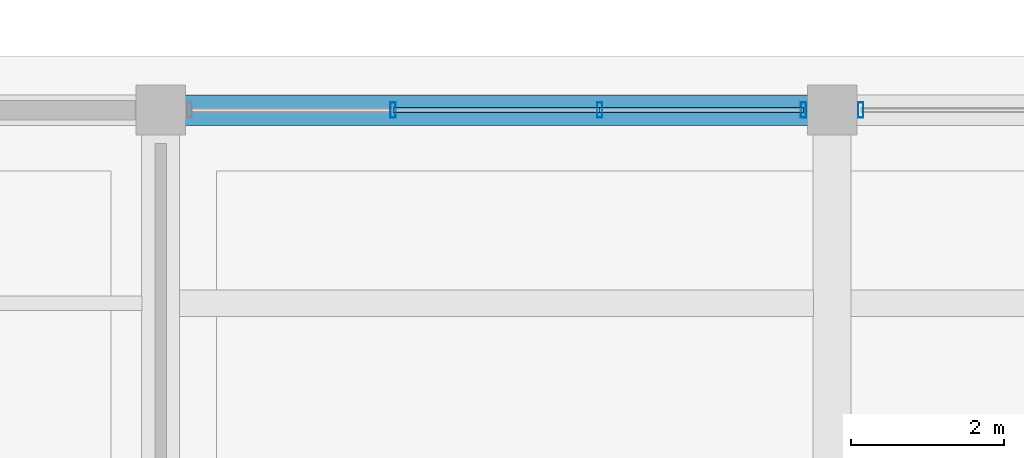
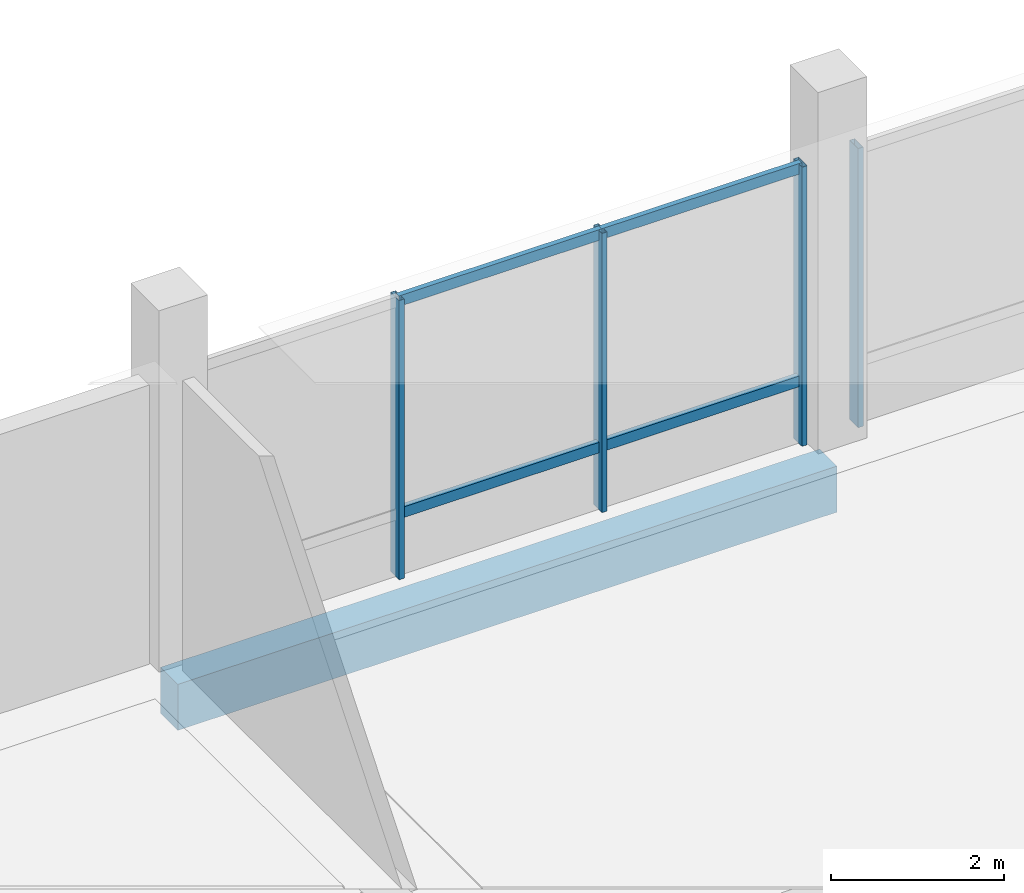
# One storey, part 50 of 73: 8 members, 1 beam, 2 elements without a shape of their own.
"""IFC4 building model written with IfcOpenShell, lengths in metres."""

import ifcopenshell
import ifcopenshell.guid

model = None  # the IFC model being written
_history = None  # IfcOwnerHistory: only IFC2X3 demands one
_inside = {}  # id of a spatial element -> (the spatial element, [elements in it])
_under = {}  # id of a project, library or spatial element -> (it, [spatial elements below it])
_declared = {}  # id of a project -> (the project, [libraries it declares])
_typed = {}  # id of a type object -> (the type object, [elements of that type])
_made_of = {}  # id of a material, layer set ... -> (it, [elements and type objects made of it])


def new_model(schema):
    """Start an empty IFC model of exactly this schema.

    Asked for "IFC4X3", IfcOpenShell would pick the latest addendum, in which some entities
    have other attributes; the version numbers below select the first issue.
    IFC2X3 requires an IfcOwnerHistory on every rooted entity: one is made here for all.
    """
    global model, _history
    if schema == "IFC4X3":
        model = ifcopenshell.file(schema_version=(4, 3, 0, 0))
    else:
        model = ifcopenshell.file(schema=schema)
    _inside.clear()
    _under.clear()
    _declared.clear()
    _typed.clear()
    _made_of.clear()
    _history = None
    if model.schema == "IFC2X3":
        org = make("IfcOrganization", Name="unknown")
        user = make(
            "IfcPersonAndOrganization",
            ThePerson=make("IfcPerson", FamilyName="unknown"),
            TheOrganization=org,
        )
        app = make(
            "IfcApplication",
            ApplicationDeveloper=org,
            Version="unknown",
            ApplicationFullName="unknown",
            ApplicationIdentifier="unknown",
        )
        _history = make(
            "IfcOwnerHistory",
            OwningUser=user,
            OwningApplication=app,
            ChangeAction="ADDED",
            CreationDate=0,
        )
    return model


def make(cls, **values):
    """One entity of the class cls with the attributes given. An attribute that is None is left unset."""
    return model.create_entity(
        cls, **{name: value for name, value in values.items() if value is not None}
    )


def rooted(cls, **values):
    """An entity with a GlobalId (a new one), such as an element, a storey or a relation."""
    return make(cls, GlobalId=ifcopenshell.guid.new(), OwnerHistory=_history, **values)


def si_unit(unit_type, name, prefix=None):
    """IfcSIUnit, for example si_unit("LENGTHUNIT", "METRE", prefix="MILLI")."""
    return make("IfcSIUnit", UnitType=unit_type, Prefix=prefix, Name=name)


def assignment(units):
    """IfcUnitAssignment: the units of a project."""
    return None if units is None else make("IfcUnitAssignment", Units=units)


def point(xyz):
    """IfcCartesianPoint."""
    return None if xyz is None else make("IfcCartesianPoint", Coordinates=xyz)


def direction(xyz):
    """IfcDirection."""
    return None if xyz is None else make("IfcDirection", DirectionRatios=xyz)


def frame(location, z_axis=None, x_axis=None):
    """IfcAxis2Placement3D, a coordinate frame: its origin and axes. An axis left out is left unset."""
    return make(
        "IfcAxis2Placement3D",
        Location=point(location),
        Axis=direction(z_axis),
        RefDirection=direction(x_axis),
    )


def frame_2d(location, x_axis=None):
    """IfcAxis2Placement2D, a coordinate frame in the plane: its origin and x axis."""
    return make(
        "IfcAxis2Placement2D", Location=point(location), RefDirection=direction(x_axis)
    )


def origin():
    """The frame at (0, 0, 0) with its axes left unset."""
    return frame((0.0, 0.0, 0.0))


def origin_2d():
    """The frame at (0, 0) in the plane with its x axis left unset."""
    return frame_2d((0.0, 0.0))


def place(relative_to, where):
    """IfcLocalPlacement: puts the frame where relative to a parent placement (None: the world)."""
    return make(
        "IfcLocalPlacement", PlacementRelTo=relative_to, RelativePlacement=where
    )


def context(
    kind, dimensions, precision=None, world=None, true_north=None, identifier=None
):
    """IfcGeometricRepresentationContext, for example the 3D "Model" context."""
    return make(
        "IfcGeometricRepresentationContext",
        ContextIdentifier=identifier,
        ContextType=kind,
        CoordinateSpaceDimension=dimensions,
        Precision=precision,
        WorldCoordinateSystem=world,
        TrueNorth=true_north,
    )


def subcontext(parent, identifier, kind, view, scale=None):
    """IfcGeometricRepresentationSubContext, for example "Body" below "Model"."""
    return make(
        "IfcGeometricRepresentationSubContext",
        ContextIdentifier=identifier,
        ContextType=kind,
        ParentContext=parent,
        TargetScale=scale,
        TargetView=view,
    )


def project(units=None, contexts=None):
    """IfcProject with its units and contexts."""
    return rooted(
        "IfcProject",
        Name="project",
        RepresentationContexts=contexts,
        UnitsInContext=assignment(units),
    )


def spatial(cls, under=None, at=None, **own):
    """A site, building, storey or space (cls), placed at a placement, below another one or the project."""
    s = rooted(cls, ObjectPlacement=at, **own)
    if under is not None:
        _under.setdefault(under.id(), (under, []))[1].append(s)
    return s


def profile(cls, at=None, kind="AREA", **sizes):
    """A parametric profile (cls). Its sizes go by their IFC names, for example OverallWidth=200.0."""
    return make(cls, ProfileType=kind, Position=at, **sizes)


def rectangle(**sizes):
    """IfcRectangleProfileDef."""
    return profile("IfcRectangleProfileDef", **sizes)


def hollow_rectangle(**sizes):
    """IfcRectangleHollowProfileDef."""
    return profile("IfcRectangleHollowProfileDef", **sizes)


def extrude(swept, where, along, depth):
    """IfcExtrudedAreaSolid: the profile swept, set in the frame where, extruded along a direction by depth."""
    return make(
        "IfcExtrudedAreaSolid",
        SweptArea=swept,
        Position=where,
        ExtrudedDirection=direction(along),
        Depth=depth,
    )


def shape(context_of_items, identifier, shape_type, items):
    """IfcShapeRepresentation: the items that make up one representation, for example the "Body"."""
    return make(
        "IfcShapeRepresentation",
        ContextOfItems=context_of_items,
        RepresentationIdentifier=identifier,
        RepresentationType=shape_type,
        Items=items,
    )


def material(Name=None, Category=None):
    """IfcMaterial."""
    return make("IfcMaterial", Name=Name, Category=Category)


def layer(
    of_material, thickness, ventilated=None, Name=None, Category=None, Priority=None
):
    """IfcMaterialLayer: one layer of a wall or slab, of a material (None: an air gap)."""
    return make(
        "IfcMaterialLayer",
        Material=of_material,
        LayerThickness=thickness,
        IsVentilated=ventilated,
        Name=Name,
        Category=Category,
        Priority=Priority,
    )


def layer_set(layers, Name=None):
    """IfcMaterialLayerSet."""
    return make("IfcMaterialLayerSet", MaterialLayers=layers, LayerSetName=Name)


def material_profile(
    of_material, cross_section, Name=None, Category=None, Priority=None
):
    """IfcMaterialProfile: a cross section and its material."""
    return make(
        "IfcMaterialProfile",
        Name=Name,
        Material=of_material,
        Profile=cross_section,
        Priority=Priority,
        Category=Category,
    )


def profile_set(profiles, Name=None, composite=None):
    """IfcMaterialProfileSet."""
    return make(
        "IfcMaterialProfileSet",
        Name=Name,
        MaterialProfiles=profiles,
        CompositeProfile=composite,
    )


def made_of(thing, what):
    """Note that an element or type object is made of a material, layer set ...; save() writes the relation."""
    if what is not None:
        _made_of.setdefault(what.id(), (what, []))[1].append(thing)
    return thing


def type_object(cls, material=None, **own):
    """A type object (cls), such as IfcWallType, which elements share."""
    return made_of(rooted(cls, **own), material)


def element(
    cls,
    number,
    at=None,
    inside=None,
    cuts=None,
    type_object=None,
    material=None,
    context=None,
    identifier="Body",
    shape_type=None,
    held_by="IfcProductDefinitionShape",
    body=None,
    shapes=None,
    **own,
):
    """One element of the class cls, such as IfcWall. Its Tag is "e" and its number.

    at: its placement. inside: the storey or other place that contains it. cuts: it is an
    opening in that element (IfcRelVoidsElement). A single representation is given by context,
    identifier, shape_type and body (its items); several are given by shapes. held_by: the class
    of the entity that holds the representations. save() writes the other relations.
    """
    e = rooted(cls, Tag="e%d" % number, ObjectPlacement=at, **own)
    if body is not None:
        shapes = [shape(context, identifier, shape_type, body)]
    if shapes is not None:
        e.Representation = make(held_by, Representations=shapes)
    if inside is not None:
        _inside.setdefault(inside.id(), (inside, []))[1].append(e)
    if cuts is not None:
        rooted(
            "IfcRelVoidsElement", RelatingBuildingElement=cuts, RelatedOpeningElement=e
        )
    if type_object is not None:
        _typed.setdefault(type_object.id(), (type_object, []))[1].append(e)
    return made_of(e, material)


def aggregate(whole, parts):
    """IfcRelAggregates: a whole, such as a stair, and the parts it consists of."""
    return rooted("IfcRelAggregates", RelatingObject=whole, RelatedObjects=parts)


def save(model, path):
    """Write the relations noted so far, then the file.

    IfcRelAggregates (storeys below a building ...), IfcRelContainedInSpatialStructure (elements
    in a storey), IfcRelDefinesByType, IfcRelAssociatesMaterial and IfcRelDeclares: one each for
    every whole, place, type object, material and project.
    """
    for whole, parts in _under.values():
        aggregate(whole, parts)
    for where, things in _inside.values():
        rooted(
            "IfcRelContainedInSpatialStructure",
            RelatedElements=things,
            RelatingStructure=where,
        )
    for kind, things in _typed.values():
        rooted("IfcRelDefinesByType", RelatedObjects=things, RelatingType=kind)
    for what, things in _made_of.values():
        rooted("IfcRelAssociatesMaterial", RelatedObjects=things, RelatingMaterial=what)
    for by, libraries in _declared.values():
        rooted("IfcRelDeclares", RelatingContext=by, RelatedDefinitions=libraries)
    model.write(path)


model = new_model("IFC4")

# Units and contexts
model_context = context("Model", 3, precision=1e-05, world=origin(), true_north=direction((0.0, 1.0)))
body_context = subcontext(model_context, "Body", "Model", "MODEL_VIEW")
ifc_project = project(units=[si_unit("LENGTHUNIT", "METRE"), si_unit("AREAUNIT", "SQUARE_METRE"), si_unit("VOLUMEUNIT", "CUBIC_METRE"), si_unit("PLANEANGLEUNIT", "RADIAN"), si_unit("MASSUNIT", "GRAM", prefix="KILO")], contexts=[model_context])

# Site, building, storey
site_placement = place(None, origin())
site = spatial("IfcSite", under=ifc_project, at=site_placement, CompositionType="ELEMENT")
building_placement = place(site_placement, origin())
building = spatial("IfcBuilding", under=site, at=building_placement, Name="Meriwether Solvik Hall", CompositionType="ELEMENT")
storey_placement = place(building_placement, origin())
storey = spatial("IfcBuildingStorey", under=building, at=storey_placement, Name="L00", CompositionType="ELEMENT", Elevation=0.0)

# Beam
ifc_material_1 = material(Name="Concrete C40/50", Category="concrete")
ifc_material_profile_1 = material_profile(ifc_material_1, rectangle(XDim=0.39990234375, YDim=0.64990234375, at=origin_2d()), Name="RCB-400X650")
ifc_profile_set_1 = profile_set([ifc_material_profile_1], Name="Concrete C40/50")
beam_type = type_object("IfcBeamType", Name="BM-RC-400X650", PredefinedType="SPANDREL", material=ifc_profile_set_1)
beam_placement = place(storey_placement, frame((131.800048828125, 116.800048828125, -0.68505859375), z_axis=(1.0, 0.0, 0.0), x_axis=(0.0, 1.0, 0.0)))
element("IfcBeam", 1, at=beam_placement, inside=storey, type_object=beam_type, Name="Podium Girder N:15-16 (L00)", PredefinedType="SPANDREL", context=body_context, shape_type="SweptSolid", body=[
    extrude(rectangle(XDim=0.39990234375, YDim=0.64990234375, at=origin_2d()), origin(), (0.0, 0.0, 1.0), 8.800048828125),
])

# Curtain wall, members
ifc_material_2 = material(Name="Thermally Broken Anodised Aluminium 6063-T6 and Low-E Glass", Category="aluminium")
ifc_layer = layer(ifc_material_2, 0.179931640625)
ifc_layer_set = layer_set([ifc_layer], Name="Thermally Broken Anodised Aluminium 6063-T6 and Low-E Glass")
curtain_wall_type = type_object("IfcCurtainWallType", Name="CW-SF-POD-A", PredefinedType="USERDEFINED", material=ifc_layer_set)
curtain_wall_1_placement = place(storey_placement, origin())
curtain_wall_1 = element("IfcCurtainWall", 2, at=curtain_wall_1_placement, inside=storey, type_object=curtain_wall_type, Name="Curtain Wall wing_XN_15_32 (L00)", ObjectType="STICK STOREFRONT GLAZING", PredefinedType="USERDEFINED")
ifc_material_3 = material(Name="Anodised Aluminium 6063-T6", Category="aluminium")
ifc_material_profile_2 = material_profile(ifc_material_3, hollow_rectangle(XDim=0.070068359375, YDim=0.199951171875, WallThickness=0.0048828125, at=origin_2d()), Name="CWM-70X200")
ifc_profile_set_2 = profile_set([ifc_material_profile_2], Name="Anodised Aluminium 6063-T6")
member_type_1 = type_object("IfcMemberType", Name="CW-MUL-70X200", PredefinedType="MULLION", material=ifc_profile_set_2)
member_1_placement = place(storey_placement, frame((134.845703125, 116.800048828125, 0.0), z_axis=(0.0, 0.0, 1.0), x_axis=(1.0, 0.0, 0.0)))
member_1 = element("IfcMember", 3, at=member_1_placement, type_object=member_type_1, Name="Curtain Wall Mullion 2", PredefinedType="MULLION", context=body_context, shape_type="SweptSolid", body=[
    extrude(hollow_rectangle(XDim=0.070068359375, YDim=0.199951171875, WallThickness=0.0048828125, at=origin_2d()), origin(), (0.0, 0.0, 1.0), 3.93994140625),
])
member_2_placement = place(storey_placement, frame((137.554443359375, 116.800048828125, 0.0), z_axis=(0.0, 0.0, 1.0), x_axis=(1.0, 0.0, 0.0)))
member_2 = element("IfcMember", 4, at=member_2_placement, type_object=member_type_1, Name="Curtain Wall Mullion 3", PredefinedType="MULLION", context=body_context, shape_type="SweptSolid", body=[
    extrude(hollow_rectangle(XDim=0.070068359375, YDim=0.199951171875, WallThickness=0.0048828125, at=origin_2d()), origin(), (0.0, 0.0, 1.0), 3.93994140625),
])
member_3_placement = place(storey_placement, frame((140.22509765625, 116.800048828125, 0.0), z_axis=(0.0, 0.0, 1.0), x_axis=(1.0, 0.0, 0.0)))
member_3 = element("IfcMember", 5, at=member_3_placement, type_object=member_type_1, Name="Curtain Wall Mullion 4", PredefinedType="MULLION", context=body_context, shape_type="SweptSolid", body=[
    extrude(hollow_rectangle(XDim=0.070068359375, YDim=0.199951171875, WallThickness=0.0048828125, at=origin_2d()), origin(), (0.0, 0.0, 1.0), 3.93994140625),
])

# Curtain wall, member
curtain_wall_2_placement = place(storey_placement, origin())
curtain_wall_2 = element("IfcCurtainWall", 6, at=curtain_wall_2_placement, inside=storey, type_object=curtain_wall_type, Name="Curtain Wall wing_XN_16_33 (L00)", ObjectType="STICK STOREFRONT GLAZING", PredefinedType="USERDEFINED")
member_4_placement = place(storey_placement, frame((140.97509765625, 116.800048828125, 0.0), z_axis=(0.0, 0.0, 1.0), x_axis=(1.0, 0.0, 0.0)))
member_4 = element("IfcMember", 7, at=member_4_placement, type_object=member_type_1, Name="Curtain Wall Mullion 1", PredefinedType="MULLION", context=body_context, shape_type="SweptSolid", body=[
    extrude(hollow_rectangle(XDim=0.070068359375, YDim=0.199951171875, WallThickness=0.0048828125, at=origin_2d()), origin(), (0.0, 0.0, 1.0), 3.93994140625),
])
aggregate(curtain_wall_2, [member_4])

# Member
ifc_material_4 = material(Name="Anodised Aluminium 6063-T6", Category="aluminium")
ifc_material_profile_3 = material_profile(ifc_material_4, hollow_rectangle(XDim=0.070068359375, YDim=0.14990234375, WallThickness=0.0048828125, at=origin_2d()), Name="CWT-70X150")
ifc_profile_set_3 = profile_set([ifc_material_profile_3], Name="Anodised Aluminium 6063-T6")
member_type_2 = type_object("IfcMemberType", Name="CW-TRN-70X150", PredefinedType="USERDEFINED", material=ifc_profile_set_3)
member_5_placement = place(storey_placement, frame((134.845703125, 116.800048828125, 0.8798828125), z_axis=(1.0, 0.0, 0.0), x_axis=(0.0, 1.0, 0.0)))
member_5 = element("IfcMember", 8, at=member_5_placement, type_object=member_type_2, Name="Curtain Wall Transom 2-sill", ObjectType="TRANSOM", PredefinedType="USERDEFINED", context=body_context, shape_type="SweptSolid", body=[
    extrude(hollow_rectangle(XDim=0.070068359375, YDim=0.14990234375, WallThickness=0.0048828125, at=origin_2d()), origin(), (0.0, 0.0, 1.0), 2.708740234375),
])

member_6_placement = place(storey_placement, frame((134.845703125, 116.800048828125, 3.8798828125), z_axis=(1.0, 0.0, 0.0), x_axis=(0.0, 1.0, 0.0)))
member_6 = element("IfcMember", 9, at=member_6_placement, type_object=member_type_2, Name="Curtain Wall Transom 2-head", ObjectType="TRANSOM", PredefinedType="USERDEFINED", context=body_context, shape_type="SweptSolid", body=[
    extrude(hollow_rectangle(XDim=0.070068359375, YDim=0.14990234375, WallThickness=0.0048828125, at=origin_2d()), origin(), (0.0, 0.0, 1.0), 2.708740234375),
])

member_7_placement = place(storey_placement, frame((137.554443359375, 116.800048828125, 0.8798828125), z_axis=(1.0, 0.0, 0.0), x_axis=(0.0, 1.0, 0.0)))
member_7 = element("IfcMember", 10, at=member_7_placement, type_object=member_type_2, Name="Curtain Wall Transom 3-sill", ObjectType="TRANSOM", PredefinedType="USERDEFINED", context=body_context, shape_type="SweptSolid", body=[
    extrude(hollow_rectangle(XDim=0.070068359375, YDim=0.14990234375, WallThickness=0.0048828125, at=origin_2d()), origin(), (0.0, 0.0, 1.0), 2.670654296875),
])

member_8_placement = place(storey_placement, frame((137.554443359375, 116.800048828125, 3.8798828125), z_axis=(1.0, 0.0, 0.0), x_axis=(0.0, 1.0, 0.0)))
member_8 = element("IfcMember", 11, at=member_8_placement, type_object=member_type_2, Name="Curtain Wall Transom 3-head", ObjectType="TRANSOM", PredefinedType="USERDEFINED", context=body_context, shape_type="SweptSolid", body=[
    extrude(hollow_rectangle(XDim=0.070068359375, YDim=0.14990234375, WallThickness=0.0048828125, at=origin_2d()), origin(), (0.0, 0.0, 1.0), 2.670654296875),
])

aggregate(curtain_wall_1, [member_1, member_2, member_3, member_5, member_6, member_7, member_8])

save(model, "model.ifc")
